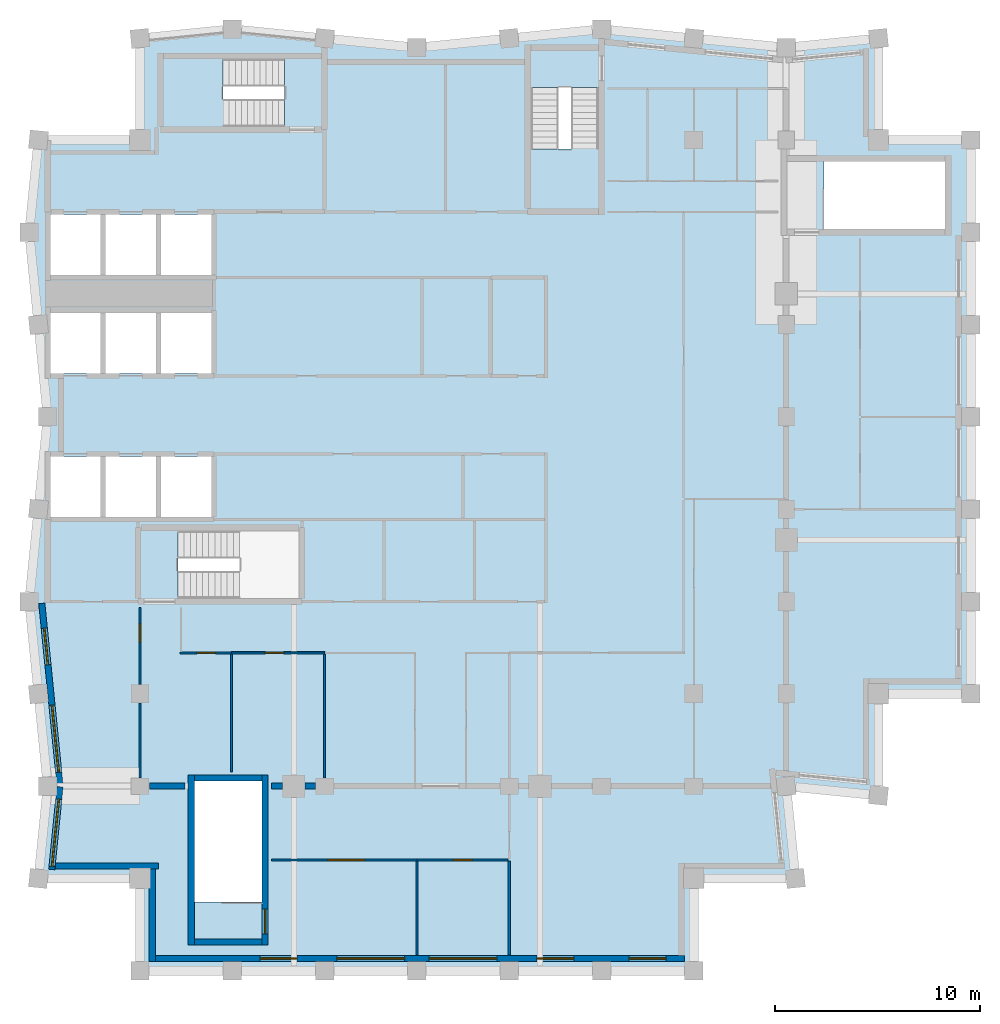
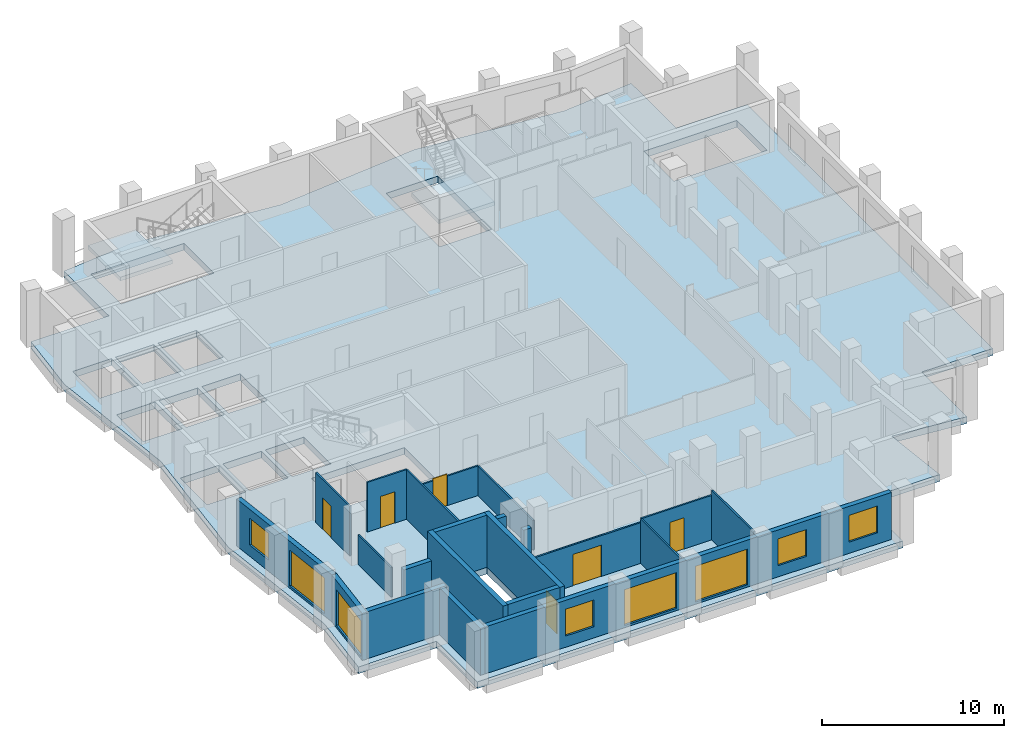
# One storey, part 2 of 7: 22 walls, 8 windows, 6 doors, 3 slabs, 14 openings, 2 elements without a shape of their own.
"""IFC4 building model written with IfcOpenShell, lengths in metres."""

from ifc_helpers import new_model, si_unit, direction, frame, frame_2d, origin, place, context, subcontext, project, spatial, polyline, rectangle, outline, extrude, material, layer, layer_set, type_object, element, fill, aggregate, save


model = new_model("IFC4")

# Units and contexts
model_context = context("Model", 3, precision=1e-05, world=origin(), true_north=direction((0.0, 1.0)))
body_context = subcontext(model_context, "Body", "Model", "MODEL_VIEW")
ifc_project = project(units=[si_unit("LENGTHUNIT", "METRE"), si_unit("AREAUNIT", "SQUARE_METRE"), si_unit("VOLUMEUNIT", "CUBIC_METRE"), si_unit("PLANEANGLEUNIT", "RADIAN"), si_unit("MASSUNIT", "GRAM", prefix="KILO")], contexts=[model_context])

# Site, building, storey
site_placement = place(None, origin())
site = spatial("IfcSite", under=ifc_project, at=site_placement, CompositionType="ELEMENT")
building_placement = place(site_placement, origin())
building = spatial("IfcBuilding", under=site, at=building_placement, Name="Brondeck Convention Tower", CompositionType="ELEMENT")
storey_placement = place(building_placement, frame((0.0, 0.0, 279.0)))
storey = spatial("IfcBuildingStorey", under=building, at=storey_placement, Name="L69", CompositionType="ELEMENT", Elevation=279.0)

# Slab
ifc_material_1 = material(Name="Concrete C35/45", Category="concrete")
ifc_layer_1 = layer(ifc_material_1, 0.449951171875)
ifc_layer_set_1 = layer_set([ifc_layer_1], Name="Composite floor slab 450")
slab_type_1 = type_object("IfcSlabType", Name="Composite floor slab 450", PredefinedType="FLOOR", material=ifc_layer_set_1)
slab_1_placement = place(storey_placement, frame((0.0, 0.0, -0.449951171875)))
element("IfcSlab", 1, at=slab_1_placement, inside=storey, type_object=slab_type_1, Name="STR-SL-L69", PredefinedType="FLOOR", context=body_context, shape_type="SweptSolid", body=[
    extrude(outline(polyline([(4.5, 22.5), (-0.449951171875, 22.5), (0.0, 27.0), (-0.89990234375, 36.0), (0.0, 45.0), (-0.89990234375, 54.0), (-0.449951171875, 58.5), (4.5, 58.5), (4.5, 63.449951171875), (9.0, 63.89990234375), (18.0, 63.0), (27.0, 63.89990234375), (36.0, 63.0), (40.5, 63.449951171875), (40.5, 58.5), (45.0, 58.5), (45.0, 31.5), (40.5, 31.5), (40.5, 26.550048828125), (36.0, 27.0), (36.449951171875, 22.5), (31.5, 22.5), (31.5, 18.0), (4.5, 18.0), (4.5, 22.5)]), holes=[polyline([(2.574951171875, 43.074951171875), (0.125, 43.074951171875), (0.125, 40.125), (2.574951171875, 40.125), (2.574951171875, 43.074951171875)]), polyline([(5.27490234375, 40.125), (5.27490234375, 43.074951171875), (2.824951171875, 43.074951171875), (2.824951171875, 40.125), (5.27490234375, 40.125)]), polyline([(7.97509765625, 40.125), (7.97509765625, 43.074951171875), (5.52490234375, 43.074951171875), (5.52490234375, 40.125), (7.97509765625, 40.125)]), polyline([(2.574951171875, 47.125), (2.574951171875, 50.074951171875), (0.125, 50.074951171875), (0.125, 47.125), (2.574951171875, 47.125)]), polyline([(5.27490234375, 47.125), (5.27490234375, 50.074951171875), (2.824951171875, 50.074951171875), (2.824951171875, 47.125), (5.27490234375, 47.125)]), polyline([(2.574951171875, 51.925048828125), (2.574951171875, 54.875), (0.125, 54.875), (0.125, 51.925048828125), (2.574951171875, 51.925048828125)]), polyline([(5.27490234375, 51.925048828125), (5.27490234375, 54.875), (2.824951171875, 54.875), (2.824951171875, 51.925048828125), (5.27490234375, 51.925048828125)]), polyline([(7.152099609375, 27.248046875), (7.152099609375, 21.35205078125), (10.447998046875, 21.35205078125), (10.447998046875, 27.248046875), (7.152099609375, 27.248046875)]), polyline([(12.248046875, 36.152099609375), (12.248046875, 39.447998046875), (6.35205078125, 39.447998046875), (6.35205078125, 36.152099609375), (12.248046875, 36.152099609375)]), polyline([(7.97509765625, 47.125), (7.97509765625, 50.074951171875), (5.52490234375, 50.074951171875), (5.52490234375, 47.125), (7.97509765625, 47.125)]), polyline([(7.97509765625, 51.925048828125), (7.97509765625, 54.875), (5.52490234375, 54.875), (5.52490234375, 51.925048828125), (7.97509765625, 51.925048828125)]), polyline([(43.748046875, 54.152099609375), (43.748046875, 57.447998046875), (37.85205078125, 57.447998046875), (37.85205078125, 54.152099609375), (43.748046875, 54.152099609375)]), polyline([(23.552001953125, 55.152099609375), (26.847900390625, 55.152099609375), (26.847900390625, 61.048095703125), (23.552001953125, 61.048095703125), (23.552001953125, 55.152099609375)]), polyline([(5.652099609375, 62.447998046875), (5.652099609375, 59.152099609375), (11.548095703125, 59.152099609375), (11.548095703125, 62.447998046875), (5.652099609375, 62.447998046875)])]), origin(), (0.0, 0.0, 1.0), 0.449951171875),
])

# Stair, slab
ifc_material_2 = material(Name="Precast concrete C50/60", Category="concrete")
stair_type = type_object("IfcStairType", Name="Core stair 22 risers 172.73 mm riser 300 mm going 1350 wide", PredefinedType="HALF_TURN_STAIR", material=ifc_material_2)
stair_1_placement = place(storey_placement, origin())
stair_1 = element("IfcStair", 2, at=stair_1_placement, inside=storey, type_object=stair_type, Name="ST-2 L69 stair", PredefinedType="HALF_TURN_STAIR")
ifc_layer_2 = layer(ifc_material_2, 0.25)
ifc_layer_set_2 = layer_set([ifc_layer_2], Name="Core stair landing 250 Precast concrete C50/60")
slab_type_2 = type_object("IfcSlabType", Name="Core stair landing 250 Precast concrete C50/60", PredefinedType="LANDING", material=ifc_layer_set_2)
slab_2_placement = place(storey_placement, frame((0.0, 0.0, 1.64990234375)))
slab_2 = element("IfcSlab", 3, at=slab_2_placement, type_object=slab_type_2, Name="ST-2 landing 1", PredefinedType="LANDING", context=body_context, shape_type="SweptSolid", body=[
    extrude(outline(polyline([(23.429931640625, 58.052001953125), (24.89990234375, 58.052001953125), (24.89990234375, 58.050048828125), (25.5, 58.050048828125), (25.5, 58.35009765625), (26.969970703125, 58.35009765625), (26.969970703125, 55.030029296875), (23.429931640625, 55.030029296875), (23.429931640625, 58.052001953125)])), origin(), (0.0, 0.0, 1.0), 0.25),
])
aggregate(stair_1, [slab_2])

stair_2_placement = place(storey_placement, origin())
stair_2 = element("IfcStair", 4, at=stair_2_placement, inside=storey, type_object=stair_type, Name="ST-3 L69 stair", PredefinedType="HALF_TURN_STAIR")
slab_3_placement = place(storey_placement, frame((0.0, 0.0, 1.64990234375)))
slab_3 = element("IfcSlab", 5, at=slab_3_placement, type_object=slab_type_2, Name="ST-3 landing 1", PredefinedType="LANDING", context=body_context, shape_type="SweptSolid", body=[
    extrude(outline(polyline([(8.85009765625, 60.5), (8.85009765625, 59.030029296875), (5.530029296875, 59.030029296875), (5.530029296875, 62.570068359375), (8.552001953125, 62.570068359375), (8.552001953125, 61.10009765625), (8.550048828125, 61.10009765625), (8.550048828125, 60.5), (8.85009765625, 60.5)])), origin(), (0.0, 0.0, 1.0), 0.25),
])
aggregate(stair_2, [slab_3])

# Walls
ifc_material_3 = material(Name="Concrete compartment wall C30/37", Category="concrete")
ifc_layer_3 = layer(ifc_material_3, 0.300048828125)
ifc_layer_set_3 = layer_set([ifc_layer_3], Name="Compartment wall 300")
wall_type_1 = type_object("IfcWallType", Name="Compartment wall 300", PredefinedType="PARTITIONING", material=ifc_layer_set_3)
wall_1_placement = place(storey_placement, frame((6.699951171875, 27.0, 0.0), z_axis=(0.0, 0.0, 1.0), x_axis=(-1.0, 0.0, 0.0)))
element("IfcWall", 6, at=wall_1_placement, inside=storey, type_object=wall_type_1, Name="FLR-L69-W011", PredefinedType="PARTITIONING", context=body_context, shape_type="SweptSolid", body=[
    extrude(rectangle(XDim=1.744873046875, YDim=0.300048828125, at=frame_2d((0.87255859375, 0.0))), origin(), (0.0, 0.0, 1.0), 1.97998046875),
])
wall_2_placement = place(storey_placement, frame((10.89990234375, 27.0, 0.0), z_axis=(0.0, 0.0, 1.0), x_axis=(1.0, 0.0, 0.0)))
element("IfcWall", 7, at=wall_2_placement, inside=storey, type_object=wall_type_1, Name="FLR-L69-W012", PredefinedType="PARTITIONING", context=body_context, shape_type="SweptSolid", body=[
    extrude(rectangle(XDim=0.545166015625, YDim=0.300048828125, at=frame_2d((0.2724609375, 0.0))), origin(), (0.0, 0.0, 1.0), 3.330078125),
])
wall_3_placement = place(storey_placement, frame((12.554931640625, 27.0, 0.0), z_axis=(0.0, 0.0, 1.0), x_axis=(1.0, 0.0, 0.0)))
element("IfcWall", 8, at=wall_3_placement, inside=storey, type_object=wall_type_1, Name="FLR-L69-W013", PredefinedType="PARTITIONING", context=body_context, shape_type="SweptSolid", body=[
    extrude(rectangle(XDim=0.489990234375, YDim=0.300048828125, at=frame_2d((0.2451171875, 0.0))), origin(), (0.0, 0.0, 1.0), 1.97998046875),
])

# Wall, openings, windows
ifc_material_4 = material(Name="Precast concrete C50/60 bronze finish", Category="concrete")
ifc_layer_4 = layer(ifc_material_4, 0.070068359375, Name="Bronze precast facing")
ifc_material_5 = material(Name="Mineral wool")
ifc_layer_5 = layer(ifc_material_5, 0.159912109375, Name="Insulation")
ifc_layer_6 = layer(ifc_material_1, 0.070068359375, Name="Backing")
ifc_layer_set_4 = layer_set([ifc_layer_4, ifc_layer_5, ifc_layer_6], Name="External infill wall, precast concrete C50/60 bronze facing")
wall_type_2 = type_object("IfcWallType", Name="External infill wall, precast concrete C50/60 bronze facing", PredefinedType="SOLIDWALL", material=ifc_layer_set_4)
wall_4_placement = place(storey_placement, frame((31.050048828125, 18.60009765625, 0.0), z_axis=(0.0, 0.0, 1.0), x_axis=(-1.0, 0.0, 0.0)))
wall_4 = element("IfcWall", 9, at=wall_4_placement, inside=storey, type_object=wall_type_2, Name="ENV-EW-L69-P3-B-S18-01", PredefinedType="SOLIDWALL", context=body_context, shape_type="SweptSolid", body=[
    extrude(rectangle(XDim=25.800048828125, YDim=0.300048828125, at=frame_2d((12.89990234375, 0.0))), origin(), (0.0, 0.0, 1.0), 3.14990234375),
])
opening_1_placement = place(wall_4_placement, frame((0.89990234375, 0.0, 0.75)))
opening_1 = element("IfcOpeningElement", 10, at=opening_1_placement, cuts=wall_4, Name="Opening W10", PredefinedType="OPENING", context=body_context, shape_type="SweptSolid", body=[
    extrude(rectangle(XDim=1.800048828125, YDim=1.800048828125, at=frame_2d((0.89990234375, 0.89990234375))), frame((0.0, 0.159912109375, 0.0), z_axis=(0.0, -1.0, 0.0), x_axis=(1.0, 0.0, 0.0)), (0.0, 0.0, 1.0), 0.320068359375),
])
opening_2_placement = place(wall_4_placement, frame((5.39990234375, 0.0, 0.75)))
opening_2 = element("IfcOpeningElement", 11, at=opening_2_placement, cuts=wall_4, Name="Opening W10", PredefinedType="OPENING", context=body_context, shape_type="SweptSolid", body=[
    extrude(rectangle(XDim=1.800048828125, YDim=1.800048828125, at=frame_2d((0.89990234375, 0.89990234375))), frame((0.0, 0.159912109375, 0.0), z_axis=(0.0, -1.0, 0.0), x_axis=(1.0, 0.0, 0.0)), (0.0, 0.0, 1.0), 0.320068359375),
])
opening_3_placement = place(wall_4_placement, frame((9.14990234375, 0.0, 0.14990234375)))
opening_3 = element("IfcOpeningElement", 12, at=opening_3_placement, cuts=wall_4, Name="Opening W9", PredefinedType="OPENING", context=body_context, shape_type="SweptSolid", body=[
    extrude(rectangle(XDim=3.300048828125, YDim=2.39990234375, at=frame_2d((1.64990234375, 1.199951171875))), frame((0.0, 0.159912109375, 0.0), z_axis=(0.0, -1.0, 0.0), x_axis=(1.0, 0.0, 0.0)), (0.0, 0.0, 1.0), 0.320068359375),
])
opening_4_placement = place(wall_4_placement, frame((13.64990234375, 0.0, 0.14990234375)))
opening_4 = element("IfcOpeningElement", 13, at=opening_4_placement, cuts=wall_4, Name="Opening W9", PredefinedType="OPENING", context=body_context, shape_type="SweptSolid", body=[
    extrude(rectangle(XDim=3.300048828125, YDim=2.39990234375, at=frame_2d((1.64990234375, 1.199951171875))), frame((0.0, 0.159912109375, 0.0), z_axis=(0.0, -1.0, 0.0), x_axis=(1.0, 0.0, 0.0)), (0.0, 0.0, 1.0), 0.320068359375),
])
opening_5_placement = place(wall_4_placement, frame((18.89990234375, 0.0, 0.75)))
opening_5 = element("IfcOpeningElement", 14, at=opening_5_placement, cuts=wall_4, Name="Opening W10", PredefinedType="OPENING", context=body_context, shape_type="SweptSolid", body=[
    extrude(rectangle(XDim=1.800048828125, YDim=1.800048828125, at=frame_2d((0.89990234375, 0.89990234375))), frame((0.0, 0.159912109375, 0.0), z_axis=(0.0, -1.0, 0.0), x_axis=(1.0, 0.0, 0.0)), (0.0, 0.0, 1.0), 0.320068359375),
])
ifc_material_6 = material(Name="Bronze tinted double glazing", Category="glass")
window_type_1 = type_object("IfcWindowType", Name="Glazed flute window, bronze tinted", PartitioningType="SINGLE_PANEL", PredefinedType="WINDOW", material=ifc_material_6)
window_1_placement = place(opening_3_placement, origin())
window_1 = element("IfcWindow", 15, at=window_1_placement, inside=storey, type_object=window_type_1, Name="ENV-WN-L69-P3-B-S18-04", OverallHeight=2.39990234375, OverallWidth=3.300048828125, PartitioningType="SINGLE_PANEL", PredefinedType="WINDOW", context=body_context, shape_type="SweptSolid", body=[
    extrude(rectangle(XDim=3.300048828125, YDim=2.39990234375, at=frame_2d((1.64990234375, 1.199951171875))), frame((0.0, 0.030029296875, 0.0), z_axis=(0.0, -1.0, 0.0), x_axis=(1.0, 0.0, 0.0)), (0.0, 0.0, 1.0), 0.06005859375),
])
fill(opening_3, window_1)
window_2_placement = place(opening_4_placement, origin())
window_2 = element("IfcWindow", 16, at=window_2_placement, inside=storey, type_object=window_type_1, Name="ENV-WN-L69-P3-B-S18-03", OverallHeight=2.39990234375, OverallWidth=3.300048828125, PartitioningType="SINGLE_PANEL", PredefinedType="WINDOW", context=body_context, shape_type="SweptSolid", body=[
    extrude(rectangle(XDim=3.300048828125, YDim=2.39990234375, at=frame_2d((1.64990234375, 1.199951171875))), frame((0.0, 0.030029296875, 0.0), z_axis=(0.0, -1.0, 0.0), x_axis=(1.0, 0.0, 0.0)), (0.0, 0.0, 1.0), 0.06005859375),
])
fill(opening_4, window_2)
window_type_2 = type_object("IfcWindowType", Name="Punched window, bronze tinted", PartitioningType="SINGLE_PANEL", PredefinedType="WINDOW", material=ifc_material_6)
window_3_placement = place(opening_1_placement, origin())
window_3 = element("IfcWindow", 17, at=window_3_placement, inside=storey, type_object=window_type_2, Name="ENV-WN-L69-P3-B-S18-06", OverallHeight=1.800048828125, OverallWidth=1.800048828125, PartitioningType="SINGLE_PANEL", PredefinedType="WINDOW", context=body_context, shape_type="SweptSolid", body=[
    extrude(rectangle(XDim=1.800048828125, YDim=1.800048828125, at=frame_2d((0.89990234375, 0.89990234375))), frame((0.0, 0.030029296875, 0.0), z_axis=(0.0, -1.0, 0.0), x_axis=(1.0, 0.0, 0.0)), (0.0, 0.0, 1.0), 0.06005859375),
])
fill(opening_1, window_3)
window_4_placement = place(opening_2_placement, origin())
window_4 = element("IfcWindow", 18, at=window_4_placement, inside=storey, type_object=window_type_2, Name="ENV-WN-L69-P3-B-S18-05", OverallHeight=1.800048828125, OverallWidth=1.800048828125, PartitioningType="SINGLE_PANEL", PredefinedType="WINDOW", context=body_context, shape_type="SweptSolid", body=[
    extrude(rectangle(XDim=1.800048828125, YDim=1.800048828125, at=frame_2d((0.89990234375, 0.89990234375))), frame((0.0, 0.030029296875, 0.0), z_axis=(0.0, -1.0, 0.0), x_axis=(1.0, 0.0, 0.0)), (0.0, 0.0, 1.0), 0.06005859375),
])
fill(opening_2, window_4)
window_5_placement = place(opening_5_placement, origin())
window_5 = element("IfcWindow", 19, at=window_5_placement, inside=storey, type_object=window_type_2, Name="ENV-WN-L69-P3-B-S18-02", OverallHeight=1.800048828125, OverallWidth=1.800048828125, PartitioningType="SINGLE_PANEL", PredefinedType="WINDOW", context=body_context, shape_type="SweptSolid", body=[
    extrude(rectangle(XDim=1.800048828125, YDim=1.800048828125, at=frame_2d((0.89990234375, 0.89990234375))), frame((0.0, 0.030029296875, 0.0), z_axis=(0.0, -1.0, 0.0), x_axis=(1.0, 0.0, 0.0)), (0.0, 0.0, 1.0), 0.06005859375),
])
fill(opening_5, window_5)

wall_5_placement = place(storey_placement, frame((0.6044921875, 26.985107421875, 0.0), z_axis=(0.0, 0.0, 1.0), x_axis=(-0.099509108728, 0.995036651225, 0.0)))
wall_5 = element("IfcWall", 20, at=wall_5_placement, inside=storey, type_object=wall_type_2, Name="ENV-EW-L69-P3-B-W-06", PredefinedType="SOLIDWALL", context=body_context, shape_type="SweptSolid", body=[
    extrude(rectangle(XDim=8.9697265625, YDim=0.300048828125, at=frame_2d((4.48486328125, 0.0))), origin(), (0.0, 0.0, 1.0), 3.14990234375),
])
opening_6_placement = place(wall_5_placement, frame((0.686279296875, 0.0, 0.14990234375)))
opening_6 = element("IfcOpeningElement", 21, at=opening_6_placement, cuts=wall_5, Name="Opening W9", PredefinedType="OPENING", context=body_context, shape_type="SweptSolid", body=[
    extrude(rectangle(XDim=3.300048828125, YDim=2.39990234375, at=frame_2d((1.64990234375, 1.199951171875))), frame((0.0, 0.159912109375, 0.0), z_axis=(0.0, -1.0, 0.0), x_axis=(1.0, 0.0, 0.0)), (0.0, 0.0, 1.0), 0.320068359375),
])
opening_7_placement = place(wall_5_placement, frame((5.95849609375, 0.0, 0.75)))
opening_7 = element("IfcOpeningElement", 22, at=opening_7_placement, cuts=wall_5, Name="Opening W10", PredefinedType="OPENING", context=body_context, shape_type="SweptSolid", body=[
    extrude(rectangle(XDim=1.800048828125, YDim=1.800048828125, at=frame_2d((0.89990234375, 0.89990234375))), frame((0.0, 0.159912109375, 0.0), z_axis=(0.0, -1.0, 0.0), x_axis=(1.0, 0.0, 0.0)), (0.0, 0.0, 1.0), 0.320068359375),
])
window_6_placement = place(opening_6_placement, origin())
window_6 = element("IfcWindow", 23, at=window_6_placement, inside=storey, type_object=window_type_1, Name="ENV-WN-L69-P3-B-W-07", OverallHeight=2.39990234375, OverallWidth=3.300048828125, PartitioningType="SINGLE_PANEL", PredefinedType="WINDOW", context=body_context, shape_type="SweptSolid", body=[
    extrude(rectangle(XDim=3.300048828125, YDim=2.39990234375, at=frame_2d((1.64990234375, 1.199951171875))), frame((0.0, 0.030029296875, 0.0), z_axis=(0.0, -1.0, 0.0), x_axis=(1.0, 0.0, 0.0)), (0.0, 0.0, 1.0), 0.06005859375),
])
fill(opening_6, window_6)
window_7_placement = place(opening_7_placement, origin())
window_7 = element("IfcWindow", 24, at=window_7_placement, inside=storey, type_object=window_type_2, Name="ENV-WN-L69-P3-B-W-06", OverallHeight=1.800048828125, OverallWidth=1.800048828125, PartitioningType="SINGLE_PANEL", PredefinedType="WINDOW", context=body_context, shape_type="SweptSolid", body=[
    extrude(rectangle(XDim=1.800048828125, YDim=1.800048828125, at=frame_2d((0.89990234375, 0.89990234375))), frame((0.0, 0.030029296875, 0.0), z_axis=(0.0, -1.0, 0.0), x_axis=(1.0, 0.0, 0.0)), (0.0, 0.0, 1.0), 0.06005859375),
])
fill(opening_7, window_7)

# Wall, opening, window
wall_6_placement = place(storey_placement, frame((0.196533203125, 22.93505859375, 0.0), z_axis=(0.0, 0.0, 1.0), x_axis=(0.09951564041, 0.995035997999, 0.0)))
wall_6 = element("IfcWall", 25, at=wall_6_placement, inside=storey, type_object=wall_type_2, Name="ENV-EW-L69-P3-B-W-08", PredefinedType="SOLIDWALL", context=body_context, shape_type="SweptSolid", body=[
    extrude(rectangle(XDim=4.05517578125, YDim=0.300048828125, at=frame_2d((2.027587890625, 0.0))), origin(), (0.0, 0.0, 1.0), 3.14990234375),
])
opening_8_placement = place(wall_6_placement, frame((0.14990234375, 0.0, 0.14990234375)))
opening_8 = element("IfcOpeningElement", 26, at=opening_8_placement, cuts=wall_6, Name="Opening W9", PredefinedType="OPENING", context=body_context, shape_type="SweptSolid", body=[
    extrude(rectangle(XDim=3.300048828125, YDim=2.39990234375, at=frame_2d((1.64990234375, 1.199951171875))), frame((0.0, 0.159912109375, 0.0), z_axis=(0.0, -1.0, 0.0), x_axis=(1.0, 0.0, 0.0)), (0.0, 0.0, 1.0), 0.320068359375),
])
window_8_placement = place(opening_8_placement, origin())
window_8 = element("IfcWindow", 27, at=window_8_placement, inside=storey, type_object=window_type_1, Name="ENV-WN-L69-P3-B-W-08", OverallHeight=2.39990234375, OverallWidth=3.300048828125, PartitioningType="SINGLE_PANEL", PredefinedType="WINDOW", context=body_context, shape_type="SweptSolid", body=[
    extrude(rectangle(XDim=3.300048828125, YDim=2.39990234375, at=frame_2d((1.64990234375, 1.199951171875))), frame((0.0, 0.030029296875, 0.0), z_axis=(0.0, -1.0, 0.0), x_axis=(1.0, 0.0, 0.0)), (0.0, 0.0, 1.0), 0.06005859375),
])
fill(opening_8, window_8)

# Walls
wall_7_placement = place(storey_placement, frame((5.39990234375, 23.10009765625, 0.0), z_axis=(0.0, 0.0, 1.0), x_axis=(-1.0, 0.0, 0.0)))
element("IfcWall", 28, at=wall_7_placement, inside=storey, type_object=wall_type_2, Name="ENV-EW-L69-P3-NC-SWB18-01", PredefinedType="SOLIDWALL", context=body_context, shape_type="SweptSolid", body=[
    extrude(rectangle(XDim=5.031005859375, YDim=0.300048828125, at=frame_2d((2.515625, 0.0))), origin(), (0.0, 0.0, 1.0), 3.14990234375),
])
wall_8_placement = place(storey_placement, frame((5.10009765625, 18.449951171875, 0.0), z_axis=(0.0, 0.0, 1.0), x_axis=(0.0, 1.0, 0.0)))
element("IfcWall", 29, at=wall_8_placement, inside=storey, type_object=wall_type_2, Name="ENV-EW-L69-P3-NC-SWB18-02", PredefinedType="SOLIDWALL", context=body_context, shape_type="SweptSolid", body=[
    extrude(rectangle(XDim=4.5, YDim=0.300048828125, at=frame_2d((2.25, 0.0))), origin(), (0.0, 0.0, 1.0), 3.14990234375),
])
ifc_material_7 = material(Name="Gypsum board partition on steel studs", Category="steel")
ifc_layer_7 = layer(ifc_material_7, 0.10009765625)
ifc_layer_set_5 = layer_set([ifc_layer_7], Name="Room partition 100")
wall_type_3 = type_object("IfcWallType", Name="Room partition 100", PredefinedType="PARTITIONING", material=ifc_layer_set_5)
wall_9_placement = place(storey_placement, frame((18.0, 18.77001953125, 0.0), z_axis=(0.0, 0.0, 1.0), x_axis=(0.0, 1.0, 0.0)))
element("IfcWall", 30, at=wall_9_placement, inside=storey, type_object=wall_type_3, Name="FLR-L69-W001", PredefinedType="PARTITIONING", context=body_context, shape_type="SweptSolid", body=[
    extrude(rectangle(XDim=4.580078125, YDim=0.10009765625, at=frame_2d((2.2900390625, 0.0))), origin(), (0.0, 0.0, 1.0), 2.97998046875),
])
wall_10_placement = place(storey_placement, frame((22.5, 23.35009765625, 0.0), z_axis=(0.0, 0.0, 1.0), x_axis=(0.0, -1.0, 0.0)))
element("IfcWall", 31, at=wall_10_placement, inside=storey, type_object=wall_type_3, Name="FLR-L69-W004", PredefinedType="PARTITIONING", context=body_context, shape_type="SweptSolid", body=[
    extrude(rectangle(XDim=4.580078125, YDim=0.10009765625, at=frame_2d((2.2900390625, 0.0))), origin(), (0.0, 0.0, 1.0), 3.330078125),
])

# Wall, opening, door
wall_11_placement = place(storey_placement, frame((18.0, 23.39990234375, 0.0), z_axis=(0.0, 0.0, 1.0), x_axis=(-1.0, 0.0, 0.0)))
wall_11 = element("IfcWall", 32, at=wall_11_placement, inside=storey, type_object=wall_type_3, Name="FLR-L69-W006", PredefinedType="PARTITIONING", context=body_context, shape_type="SweptSolid", body=[
    extrude(rectangle(XDim=7.10009765625, YDim=0.10009765625, at=frame_2d((3.550048828125, 0.0))), origin(), (0.0, 0.0, 1.0), 2.72998046875),
])
opening_9_placement = place(wall_11_placement, frame((2.550048828125, 0.0, 0.0)))
opening_9 = element("IfcOpeningElement", 33, at=opening_9_placement, cuts=wall_11, Name="Opening EX-D-005", PredefinedType="OPENING", context=body_context, shape_type="SweptSolid", body=[
    extrude(rectangle(XDim=1.800048828125, YDim=2.10009765625, at=frame_2d((0.89990234375, 1.050048828125))), frame((0.0, 0.06005859375, 0.0), z_axis=(0.0, -1.0, 0.0), x_axis=(1.0, 0.0, 0.0)), (0.0, 0.0, 1.0), 0.1201171875),
])
ifc_material_8 = material(Name="Glazed timber double door", Category="wood")
door_type_1 = type_object("IfcDoorType", Name="Double door 1800", OperationType="DOUBLE_DOOR_SINGLE_SWING", PredefinedType="DOOR", material=ifc_material_8)
door_1_placement = place(opening_9_placement, origin())
door_1 = element("IfcDoor", 34, at=door_1_placement, inside=storey, type_object=door_type_1, Name="Door EX-D-005", OperationType="DOUBLE_DOOR_SINGLE_SWING", OverallHeight=2.10009765625, OverallWidth=1.800048828125, PredefinedType="DOOR", context=body_context, shape_type="SweptSolid", body=[
    extrude(rectangle(XDim=1.800048828125, YDim=2.10009765625, at=frame_2d((0.89990234375, 1.050048828125))), frame((0.0, 0.02490234375, 0.0), z_axis=(0.0, -1.0, 0.0), x_axis=(1.0, 0.0, 0.0)), (0.0, 0.0, 1.0), 0.050048828125),
])
fill(opening_9, door_1)

wall_12_placement = place(storey_placement, frame((22.449951171875, 23.39990234375, 0.0), z_axis=(0.0, 0.0, 1.0), x_axis=(-1.0, 0.0, 0.0)))
wall_12 = element("IfcWall", 35, at=wall_12_placement, inside=storey, type_object=wall_type_3, Name="FLR-L69-W007", PredefinedType="PARTITIONING", context=body_context, shape_type="SweptSolid", body=[
    extrude(rectangle(XDim=4.449951171875, YDim=0.10009765625, at=frame_2d((2.22509765625, 0.0))), origin(), (0.0, 0.0, 1.0), 2.97998046875),
])
opening_10_placement = place(wall_12_placement, frame((1.75, 0.0, 0.0)))
opening_10 = element("IfcOpeningElement", 36, at=opening_10_placement, cuts=wall_12, Name="Opening EX-D-004", PredefinedType="OPENING", context=body_context, shape_type="SweptSolid", body=[
    extrude(rectangle(XDim=0.89990234375, YDim=2.10009765625, at=frame_2d((0.449951171875, 1.050048828125))), frame((0.0, 0.06005859375, 0.0), z_axis=(0.0, -1.0, 0.0), x_axis=(1.0, 0.0, 0.0)), (0.0, 0.0, 1.0), 0.1201171875),
])
ifc_material_9 = material(Name="Solid timber door leaf", Category="wood")
door_type_2 = type_object("IfcDoorType", Name="Single door 900", OperationType="NOTDEFINED", PredefinedType="DOOR", material=ifc_material_9)
door_2_placement = place(opening_10_placement, origin())
door_2 = element("IfcDoor", 37, at=door_2_placement, inside=storey, type_object=door_type_2, Name="Door EX-D-004", OperationType="SINGLE_SWING_RIGHT", OverallHeight=2.10009765625, OverallWidth=0.89990234375, PredefinedType="DOOR", context=body_context, shape_type="SweptSolid", body=[
    extrude(rectangle(XDim=0.89990234375, YDim=2.10009765625, at=frame_2d((0.449951171875, 1.050048828125))), frame((0.0, 0.02490234375, 0.0), z_axis=(0.0, -1.0, 0.0), x_axis=(1.0, 0.0, 0.0)), (0.0, 0.0, 1.0), 0.050048828125),
])
fill(opening_10, door_2)

# Wall
wall_13_placement = place(storey_placement, frame((4.5, 27.405029296875, 0.0), z_axis=(0.0, 0.0, 1.0), x_axis=(0.0, 1.0, 0.0)))
element("IfcWall", 38, at=wall_13_placement, inside=storey, type_object=wall_type_3, Name="FLR-L69-W022", PredefinedType="PARTITIONING", context=body_context, shape_type="SweptSolid", body=[
    extrude(rectangle(XDim=3.639892578125, YDim=0.10009765625, at=frame_2d((1.81982421875, 0.0))), origin(), (0.0, 0.0, 1.0), 1.97998046875),
])

# Wall, opening, door
wall_14_placement = place(storey_placement, frame((4.5, 31.955078125, 0.0), z_axis=(0.0, 0.0, 1.0), x_axis=(0.0, 1.0, 0.0)))
wall_14 = element("IfcWall", 39, at=wall_14_placement, inside=storey, type_object=wall_type_3, Name="FLR-L69-W027", PredefinedType="PARTITIONING", context=body_context, shape_type="SweptSolid", body=[
    extrude(rectangle(XDim=3.744873046875, YDim=0.10009765625, at=frame_2d((1.87255859375, 0.0))), origin(), (0.0, 0.0, 1.0), 3.330078125),
])
opening_11_placement = place(wall_14_placement, frame((2.070068359375, 0.0, 0.0)))
opening_11 = element("IfcOpeningElement", 40, at=opening_11_placement, cuts=wall_14, Name="Opening EX-D-018", PredefinedType="OPENING", context=body_context, shape_type="SweptSolid", body=[
    extrude(rectangle(XDim=0.89990234375, YDim=2.10009765625, at=frame_2d((0.449951171875, 1.050048828125))), frame((0.0, 0.06005859375, 0.0), z_axis=(0.0, -1.0, 0.0), x_axis=(1.0, 0.0, 0.0)), (0.0, 0.0, 1.0), 0.1201171875),
])
door_3_placement = place(opening_11_placement, origin())
door_3 = element("IfcDoor", 41, at=door_3_placement, inside=storey, type_object=door_type_2, Name="Door EX-D-018", OperationType="SINGLE_SWING_RIGHT", OverallHeight=2.10009765625, OverallWidth=0.89990234375, PredefinedType="DOOR", context=body_context, shape_type="SweptSolid", body=[
    extrude(rectangle(XDim=0.89990234375, YDim=2.10009765625, at=frame_2d((0.449951171875, 1.050048828125))), frame((0.0, 0.02490234375, 0.0), z_axis=(0.0, -1.0, 0.0), x_axis=(1.0, 0.0, 0.0)), (0.0, 0.0, 1.0), 0.050048828125),
])
fill(opening_11, door_3)

# Walls
wall_15_placement = place(storey_placement, frame((8.9599609375, 33.449951171875, 0.0), z_axis=(0.0, 0.0, 1.0), x_axis=(0.0, -1.0, 0.0)))
element("IfcWall", 42, at=wall_15_placement, inside=storey, type_object=wall_type_3, Name="FLR-L69-W029", PredefinedType="PARTITIONING", context=body_context, shape_type="SweptSolid", body=[
    extrude(rectangle(XDim=5.75, YDim=0.10009765625, at=frame_2d((2.875, 0.0))), origin(), (0.0, 0.0, 1.0), 3.330078125),
])
wall_16_placement = place(storey_placement, frame((13.5, 33.449951171875, 0.0), z_axis=(0.0, 0.0, 1.0), x_axis=(0.0, -1.0, 0.0)))
element("IfcWall", 43, at=wall_16_placement, inside=storey, type_object=wall_type_3, Name="FLR-L69-W030", PredefinedType="PARTITIONING", context=body_context, shape_type="SweptSolid", body=[
    extrude(rectangle(XDim=6.044921875, YDim=0.10009765625, at=frame_2d((3.0224609375, 0.0))), origin(), (0.0, 0.0, 1.0), 1.97998046875),
])

# Wall, opening, door
wall_17_placement = place(storey_placement, frame((8.9599609375, 33.5, 0.0), z_axis=(0.0, 0.0, 1.0), x_axis=(-1.0, 0.0, 0.0)))
wall_17 = element("IfcWall", 44, at=wall_17_placement, inside=storey, type_object=wall_type_3, Name="FLR-L69-W033", PredefinedType="PARTITIONING", context=body_context, shape_type="SweptSolid", body=[
    extrude(rectangle(XDim=2.510009765625, YDim=0.10009765625, at=frame_2d((1.2548828125, 0.0))), origin(), (0.0, 0.0, 1.0), 3.330078125),
])
opening_12_placement = place(wall_17_placement, frame((0.780029296875, 0.0, 0.0)))
opening_12 = element("IfcOpeningElement", 45, at=opening_12_placement, cuts=wall_17, Name="Opening EX-D-012", PredefinedType="OPENING", context=body_context, shape_type="SweptSolid", body=[
    extrude(rectangle(XDim=0.89990234375, YDim=2.10009765625, at=frame_2d((0.449951171875, 1.050048828125))), frame((0.0, 0.06005859375, 0.0), z_axis=(0.0, -1.0, 0.0), x_axis=(1.0, 0.0, 0.0)), (0.0, 0.0, 1.0), 0.1201171875),
])
door_4_placement = place(opening_12_placement, origin())
door_4 = element("IfcDoor", 46, at=door_4_placement, inside=storey, type_object=door_type_2, Name="Door EX-D-012", OperationType="SINGLE_SWING_LEFT", OverallHeight=2.10009765625, OverallWidth=0.89990234375, PredefinedType="DOOR", context=body_context, shape_type="SweptSolid", body=[
    extrude(rectangle(XDim=0.89990234375, YDim=2.10009765625, at=frame_2d((0.449951171875, 1.050048828125))), frame((0.0, 0.02490234375, 0.0), z_axis=(0.0, -1.0, 0.0), x_axis=(1.0, 0.0, 0.0)), (0.0, 0.0, 1.0), 0.050048828125),
])
fill(opening_12, door_4)

wall_18_placement = place(storey_placement, frame((13.5, 33.5, 0.0), z_axis=(0.0, 0.0, 1.0), x_axis=(-1.0, 0.0, 0.0)))
wall_18 = element("IfcWall", 47, at=wall_18_placement, inside=storey, type_object=wall_type_3, Name="FLR-L69-W034", PredefinedType="PARTITIONING", context=body_context, shape_type="SweptSolid", body=[
    extrude(rectangle(XDim=4.5400390625, YDim=0.10009765625, at=frame_2d((2.27001953125, 0.0))), origin(), (0.0, 0.0, 1.0), 1.97998046875),
])
opening_13_placement = place(wall_18_placement, frame((1.982421875, 0.0, 0.0)))
opening_13 = element("IfcOpeningElement", 48, at=opening_13_placement, cuts=wall_18, Name="Opening EX-D-013", PredefinedType="OPENING", context=body_context, shape_type="SweptSolid", body=[
    extrude(rectangle(XDim=0.89990234375, YDim=2.10009765625, at=frame_2d((0.449951171875, 1.050048828125))), frame((0.0, 0.06005859375, 0.0), z_axis=(0.0, -1.0, 0.0), x_axis=(1.0, 0.0, 0.0)), (0.0, 0.0, 1.0), 0.1201171875),
])
door_5_placement = place(opening_13_placement, origin())
door_5 = element("IfcDoor", 49, at=door_5_placement, inside=storey, type_object=door_type_2, Name="Door EX-D-013", OperationType="SINGLE_SWING_LEFT", OverallHeight=2.10009765625, OverallWidth=0.89990234375, PredefinedType="DOOR", context=body_context, shape_type="SweptSolid", body=[
    extrude(rectangle(XDim=0.89990234375, YDim=2.10009765625, at=frame_2d((0.449951171875, 1.050048828125))), frame((0.0, 0.02490234375, 0.0), z_axis=(0.0, -1.0, 0.0), x_axis=(1.0, 0.0, 0.0)), (0.0, 0.0, 1.0), 0.050048828125),
])
fill(opening_13, door_5)

# Walls
ifc_material_10 = material(Name="Concrete C50/60", Category="concrete")
ifc_layer_8 = layer(ifc_material_10, 0.300048828125)
ifc_layer_set_6 = layer_set([ifc_layer_8], Name="Stair enclosure wall 300 Concrete C50/60")
wall_type_4 = type_object("IfcWallType", Name="Stair enclosure wall 300 Concrete C50/60", PredefinedType="SHEAR", material=ifc_layer_set_6)
for number, where, z_axis, x_axis, name in (
    (50, (7.14990234375, 19.39990234375, 0.0), (0.0, 0.0, 1.0), (1.0, 0.0, 0.0), "L69 core wall"),
    (51, (7.14990234375, 27.39990234375, 0.0), (0.0, 0.0, 1.0), (1.0, 0.0, 0.0), "L69 core wall"),
):
    element("IfcWall", number, at=place(storey_placement, frame(where, z_axis=z_axis, x_axis=x_axis)), inside=storey, type_object=wall_type_4, Name=name, PredefinedType="SHEAR", context=body_context, shape_type="SweptSolid", body=[
        extrude(rectangle(XDim=3.300048828125, YDim=0.300048828125, at=frame_2d((1.64990234375, 0.0))), origin(), (0.0, 0.0, 1.0), 3.5),
    ])
wall_19_placement = place(storey_placement, frame((7.0, 19.25, 0.0), z_axis=(0.0, 0.0, 1.0), x_axis=(0.0, 1.0, 0.0)))
element("IfcWall", 52, at=wall_19_placement, inside=storey, type_object=wall_type_4, Name="L69 core wall", PredefinedType="SHEAR", context=body_context, shape_type="SweptSolid", body=[
    extrude(rectangle(XDim=8.300048828125, YDim=0.300048828125, at=frame_2d((4.14990234375, 0.0))), origin(), (0.0, 0.0, 1.0), 3.5),
])

# Wall, opening, door
wall_20_placement = place(storey_placement, frame((10.60009765625, 19.25, 0.0), z_axis=(0.0, 0.0, 1.0), x_axis=(0.0, 1.0, 0.0)))
wall_20 = element("IfcWall", 53, at=wall_20_placement, inside=storey, type_object=wall_type_4, Name="L69 core wall", PredefinedType="SHEAR", context=body_context, shape_type="SweptSolid", body=[
    extrude(rectangle(XDim=8.300048828125, YDim=0.300048828125, at=frame_2d((4.14990234375, 0.0))), origin(), (0.0, 0.0, 1.0), 3.5),
])
opening_14_placement = place(wall_20_placement, frame((0.550048828125, 0.0, 0.0)))
opening_14 = element("IfcOpeningElement", 54, at=opening_14_placement, cuts=wall_20, Name="Opening C39-17", PredefinedType="OPENING", context=body_context, shape_type="SweptSolid", body=[
    extrude(rectangle(XDim=1.199951171875, YDim=2.199951171875, at=frame_2d((0.60009765625, 1.10009765625))), frame((0.0, 0.159912109375, 0.0), z_axis=(0.0, -1.0, 0.0), x_axis=(1.0, 0.0, 0.0)), (0.0, 0.0, 1.0), 0.320068359375),
])
ifc_material_11 = material(Name="Steel fire door", Category="steel")
door_type_3 = type_object("IfcDoorType", Name="Stair door 1200x2200 EI 90", OperationType="NOTDEFINED", PredefinedType="DOOR", material=ifc_material_11)
door_6_placement = place(opening_14_placement, origin())
door_6 = element("IfcDoor", 55, at=door_6_placement, inside=storey, type_object=door_type_3, Name="L69 Stair door ST-BE", OperationType="SINGLE_SWING_RIGHT", OverallHeight=2.199951171875, OverallWidth=1.199951171875, PredefinedType="DOOR", context=body_context, shape_type="SweptSolid", body=[
    extrude(rectangle(XDim=1.199951171875, YDim=2.199951171875, at=frame_2d((0.60009765625, 1.10009765625))), frame((0.0, 0.02490234375, 0.0), z_axis=(0.0, -1.0, 0.0), x_axis=(1.0, 0.0, 0.0)), (0.0, 0.0, 1.0), 0.050048828125),
])
fill(opening_14, door_6)

save(model, "model.ifc")
